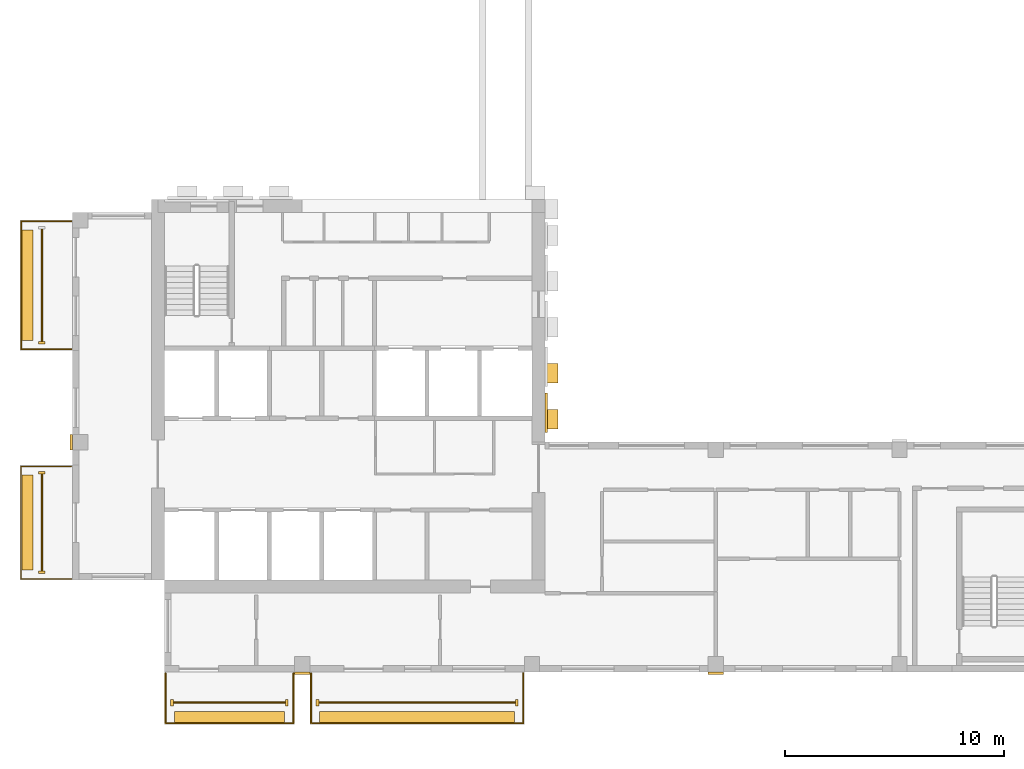
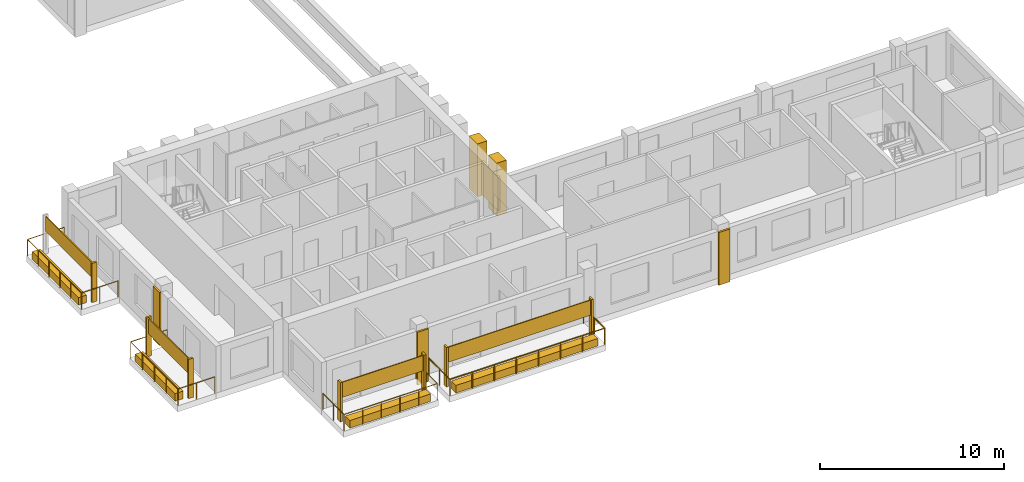
# One storey, part 6 of 9: 21 coverings, 4 railings.
"""IFC4 building model written with IfcOpenShell, lengths in metres."""

from ifc_helpers import new_model, si_unit, direction, frame, origin, origin_2d, place, context, subcontext, project, spatial, rectangle, circle, extrude, source, transform, mapped, material, type_object, element, save


model = new_model("IFC4")

# Units and contexts
model_context = context("Model", 3, precision=1e-05, world=origin(), true_north=direction((0.0, 1.0)))
body_context = subcontext(model_context, "Body", "Model", "MODEL_VIEW")
ifc_project = project(units=[si_unit("LENGTHUNIT", "METRE"), si_unit("AREAUNIT", "SQUARE_METRE"), si_unit("VOLUMEUNIT", "CUBIC_METRE"), si_unit("PLANEANGLEUNIT", "RADIAN"), si_unit("MASSUNIT", "GRAM", prefix="KILO")], contexts=[model_context])

# Site, building, storey
site_placement = place(None, origin())
site = spatial("IfcSite", under=ifc_project, at=site_placement, CompositionType="ELEMENT")
building_placement = place(site_placement, origin())
building = spatial("IfcBuilding", under=site, at=building_placement, Name="Aurelian Terraces", CompositionType="ELEMENT")
storey_placement = place(building_placement, frame((0.0, 0.0, 319.5)))
storey = spatial("IfcBuildingStorey", under=building, at=storey_placement, Name="L74", CompositionType="ELEMENT", Elevation=319.5)

# Coverings
ifc_material_1 = material(Name="Terracotta rainscreen cladding relief", Category="masonry")
covering_type_1 = type_object("IfcCoveringType", Name="FIN-TC", PredefinedType="CLADDING", material=ifc_material_1)
shared_shape_1 = source(origin(), body_context, "Body", "SweptSolid", [
    extrude(rectangle(XDim=0.3, YDim=0.12, at=origin_2d()), origin(), (0.0, 0.0, 1.0), 2.6),
])
for number, where, z_axis, x_axis, name in (
    (1, (-1.4, 15.05, 0.0), (0.0, 0.0, 1.0), (1.0, 0.0, 0.0), "FIN L74 L74-F12-18.2"),
    (2, (-1.4, 9.1, 0.0), (0.0, 0.0, 1.0), (1.0, 0.0, 0.0), "FIN L74 L74-F12-20.1"),
    (3, (-1.4, 4.55, 0.0), (0.0, 0.0, 1.0), (1.0, 0.0, 0.0), "FIN L74 L74-F12-20.2"),
):
    element("IfcCovering", number, at=place(storey_placement, frame(where, z_axis=z_axis, x_axis=x_axis)), inside=storey, type_object=covering_type_1, Name=name, PredefinedType="CLADDING", context=body_context, shape_type="MappedRepresentation", body=[
        mapped(shared_shape_1, transform((0.0, 0.0, 0.0), scale=1.0)),
    ])
shared_shape_2 = source(origin(), body_context, "Body", "SweptSolid", [
    extrude(rectangle(XDim=0.12, YDim=0.3, at=origin_2d()), origin(), (0.0, 0.0, 1.0), 2.6),
])
for number, where, z_axis, x_axis, name in (
    (4, (4.55, -1.4, 0.0), (0.0, 0.0, 1.0), (1.0, 0.0, 0.0), "FIN L74 L74-F01-01.1"),
    (5, (9.8, -1.4, 0.0), (0.0, 0.0, 1.0), (1.0, 0.0, 0.0), "FIN L74 L74-F01-01.2"),
    (6, (11.2, -1.4, 0.0), (0.0, 0.0, 1.0), (1.0, 0.0, 0.0), "FIN L74 L74-F01-02.1"),
    (7, (20.3, -1.4, 0.0), (0.0, 0.0, 1.0), (1.0, 0.0, 0.0), "FIN L74 L74-F01-02.2"),
):
    element("IfcCovering", number, at=place(storey_placement, frame(where, z_axis=z_axis, x_axis=x_axis)), inside=storey, type_object=covering_type_1, Name=name, PredefinedType="CLADDING", context=body_context, shape_type="MappedRepresentation", body=[
        mapped(shared_shape_2, transform((0.0, 0.0, 0.0), scale=1.0)),
    ])

# Railing
ifc_material_2 = material(Name="Anodised aluminium", Category="aluminium")
railing_type = type_object("IfcRailingType", Name="GUARD-1100", PredefinedType="GUARDRAIL", material=ifc_material_2)
shared_shape_3 = source(origin(), body_context, "Body", "SweptSolid", [
    extrude(circle(Radius=0.024, at=origin_2d()), frame((0.0, 0.0, 1.076), z_axis=(-1.0, 0.0, 0.0), x_axis=(0.0, -1.0, 0.0)), (0.0, 0.0, 1.0), 2.3),
    extrude(circle(Radius=0.024, at=origin_2d()), frame((-2.3, 0.0, 1.076), z_axis=(0.0, -1.0, 0.0), x_axis=(1.0, 0.0, 0.0)), (0.0, 0.0, 1.0), 5.15),
    extrude(circle(Radius=0.024, at=origin_2d()), frame((-2.3, -5.15, 1.076), z_axis=(1.0, 0.0, 0.0), x_axis=(0.0, 1.0, 0.0)), (0.0, 0.0, 1.0), 2.3),
    extrude(circle(Radius=0.021, at=origin_2d()), origin(), (0.0, 0.0, 1.0), 1.052),
    extrude(circle(Radius=0.021, at=origin_2d()), frame((-1.15, 0.0, 0.0)), (0.0, 0.0, 1.0), 1.052),
    extrude(circle(Radius=0.021, at=origin_2d()), frame((-2.3, 0.0, 0.0)), (0.0, 0.0, 1.0), 1.052),
    extrude(circle(Radius=0.021, at=origin_2d()), frame((-2.3, -1.2875, 0.0)), (0.0, 0.0, 1.0), 1.052),
    extrude(circle(Radius=0.021, at=origin_2d()), frame((-2.3, -2.575, 0.0)), (0.0, 0.0, 1.0), 1.052),
    extrude(circle(Radius=0.021, at=origin_2d()), frame((-2.3, -3.8625, 0.0)), (0.0, 0.0, 1.0), 1.052),
    extrude(circle(Radius=0.021, at=origin_2d()), frame((-2.3, -5.15, 0.0)), (0.0, 0.0, 1.0), 1.052),
    extrude(circle(Radius=0.021, at=origin_2d()), frame((-1.15, -5.15, 0.0)), (0.0, 0.0, 1.0), 1.052),
    extrude(circle(Radius=0.021, at=origin_2d()), frame((0.0, -5.15, 0.0)), (0.0, 0.0, 1.0), 1.052),
])
railing_1_placement = place(storey_placement, frame((-0.05, 9.4, 0.0)))
element("IfcRailing", 8, at=railing_1_placement, inside=storey, type_object=railing_type, Name="Balcony guard L74 F12.20", PredefinedType="GUARDRAIL", context=body_context, shape_type="MappedRepresentation", body=[
    mapped(shared_shape_3, transform((0.0, 0.0, 0.0), scale=1.0)),
])

# Coverings
ifc_material_3 = material(Name="Terracotta planter with planting soil", Category="masonry")
covering_type_2 = type_object("IfcCoveringType", Name="PLANTER-TROUGH", PredefinedType="USERDEFINED", material=ifc_material_3)
shared_shape_4 = source(origin(), body_context, "Body", "SweptSolid", [
    extrude(rectangle(XDim=0.5, YDim=4.35, at=origin_2d()), origin(), (0.0, 0.0, 1.0), 0.5),
])
covering_1_placement = place(storey_placement, frame((-2.05, 6.825, 0.0), z_axis=(0.0, 0.0, 1.0), x_axis=(1.0, 0.0, 0.0)))
element("IfcCovering", 9, at=covering_1_placement, inside=storey, type_object=covering_type_2, Name="PLANTER L74 L74-F12-20", ObjectType="PLANTER", PredefinedType="USERDEFINED", context=body_context, shape_type="MappedRepresentation", body=[
    mapped(shared_shape_4, transform((0.0, 0.0, 0.0), scale=1.0)),
])
ifc_material_4 = material(Name="Terracotta rainscreen cladding", Category="masonry")
covering_type_3 = type_object("IfcCoveringType", Name="SCREEN-TC", PredefinedType="CLADDING", material=ifc_material_4)
shared_shape_5 = source(origin(), body_context, "Body", "SweptSolid", [
    extrude(rectangle(XDim=0.06, YDim=4.43, at=origin_2d()), origin(), (0.0, 0.0, 1.0), 1.0),
])
covering_2_placement = place(storey_placement, frame((-1.4, 6.825, 1.5), z_axis=(0.0, 0.0, 1.0), x_axis=(1.0, 0.0, 0.0)))
element("IfcCovering", 10, at=covering_2_placement, inside=storey, type_object=covering_type_3, Name="SCREEN L74 L74-F12-20", PredefinedType="CLADDING", context=body_context, shape_type="MappedRepresentation", body=[
    mapped(shared_shape_5, transform((0.0, 0.0, 0.0), scale=1.0)),
])
ifc_material_5 = material(Name="Terracotta rainscreen cladding louvre blades", Category="masonry")
covering_type_4 = type_object("IfcCoveringType", Name="LOUVRE-TC", PredefinedType="CLADDING", material=ifc_material_5)
shared_shape_6 = source(origin(), body_context, "Body", "SweptSolid", [
    extrude(rectangle(XDim=0.12, YDim=1.8, at=origin_2d()), origin(), (0.0, 0.0, 1.0), 2.2),
])
covering_3_placement = place(storey_placement, frame((21.66, 11.85, 0.45), z_axis=(0.0, 0.0, 1.0), x_axis=(1.0, 0.0, 0.0)))
element("IfcCovering", 11, at=covering_3_placement, inside=storey, type_object=covering_type_4, Name="LOUVRE L74 core face E.1", PredefinedType="CLADDING", context=body_context, shape_type="MappedRepresentation", body=[
    mapped(shared_shape_6, transform((0.0, 0.0, 0.0), scale=1.0)),
])
covering_type_5 = type_object("IfcCoveringType", Name="BAGUETTE-TC", PredefinedType="CLADDING", material=ifc_material_1)
shared_shape_7 = source(origin(), body_context, "Body", "SweptSolid", [
    extrude(rectangle(XDim=0.7, YDim=0.12, at=origin_2d()), origin(), (0.0, 0.0, 1.0), 3.5),
])
for number, where, z_axis, x_axis, name in (
    (12, (10.5, -0.06, -0.4), (0.0, 0.0, 1.0), (1.0, 0.0, 0.0), "BAGUETTE pier L74 1"),
    (13, (29.4, -0.06, -0.4), (0.0, 0.0, 1.0), (1.0, 0.0, 0.0), "BAGUETTE pier L74 2"),
):
    element("IfcCovering", number, at=place(storey_placement, frame(where, z_axis=z_axis, x_axis=x_axis)), inside=storey, type_object=covering_type_5, Name=name, PredefinedType="CLADDING", context=body_context, shape_type="MappedRepresentation", body=[
        mapped(shared_shape_7, transform((0.0, 0.0, 0.0), scale=1.0)),
    ])
shared_shape_8 = source(origin(), body_context, "Body", "SweptSolid", [
    extrude(rectangle(XDim=0.12, YDim=0.7, at=origin_2d()), origin(), (0.0, 0.0, 1.0), 3.5),
])
covering_4_placement = place(storey_placement, frame((-0.06, 10.5, -0.4), z_axis=(0.0, 0.0, 1.0), x_axis=(1.0, 0.0, 0.0)))
element("IfcCovering", 14, at=covering_4_placement, inside=storey, type_object=covering_type_5, Name="BAGUETTE pier L74 5", PredefinedType="CLADDING", context=body_context, shape_type="MappedRepresentation", body=[
    mapped(shared_shape_8, transform((0.0, 0.0, 0.0), scale=1.0)),
])

# Railing
shared_shape_9 = source(origin(), body_context, "Body", "SweptSolid", [
    extrude(circle(Radius=0.024, at=origin_2d()), frame((0.0, 0.0, 1.076), z_axis=(0.0, -1.0, 0.0), x_axis=(1.0, 0.0, 0.0)), (0.0, 0.0, 1.0), 2.3),
    extrude(circle(Radius=0.024, at=origin_2d()), frame((0.0, -2.3, 1.076), z_axis=(1.0, 0.0, 0.0), x_axis=(0.0, 1.0, 0.0)), (0.0, 0.0, 1.0), 5.85),
    extrude(circle(Radius=0.024, at=origin_2d()), frame((5.85, -2.3, 1.076), z_axis=(0.0, 1.0, 0.0), x_axis=(-1.0, 0.0, 0.0)), (0.0, 0.0, 1.0), 2.3),
    extrude(circle(Radius=0.021, at=origin_2d()), origin(), (0.0, 0.0, 1.0), 1.052),
    extrude(circle(Radius=0.021, at=origin_2d()), frame((0.0, -1.15, 0.0)), (0.0, 0.0, 1.0), 1.052),
    extrude(circle(Radius=0.021, at=origin_2d()), frame((0.0, -2.3, 0.0)), (0.0, 0.0, 1.0), 1.052),
    extrude(circle(Radius=0.021, at=origin_2d()), frame((1.17, -2.3, 0.0)), (0.0, 0.0, 1.0), 1.052),
    extrude(circle(Radius=0.021, at=origin_2d()), frame((2.34, -2.3, 0.0)), (0.0, 0.0, 1.0), 1.052),
    extrude(circle(Radius=0.021, at=origin_2d()), frame((3.51, -2.3, 0.0)), (0.0, 0.0, 1.0), 1.052),
    extrude(circle(Radius=0.021, at=origin_2d()), frame((4.68, -2.3, 0.0)), (0.0, 0.0, 1.0), 1.052),
    extrude(circle(Radius=0.021, at=origin_2d()), frame((5.85, -2.3, 0.0)), (0.0, 0.0, 1.0), 1.052),
    extrude(circle(Radius=0.021, at=origin_2d()), frame((5.85, -1.15, 0.0)), (0.0, 0.0, 1.0), 1.052),
    extrude(circle(Radius=0.021, at=origin_2d()), frame((5.85, 0.0, 0.0)), (0.0, 0.0, 1.0), 1.052),
])
railing_2_placement = place(storey_placement, frame((4.25, -0.05, 0.0)))
element("IfcRailing", 15, at=railing_2_placement, inside=storey, type_object=railing_type, Name="Balcony guard L74 F01.1", PredefinedType="GUARDRAIL", context=body_context, shape_type="MappedRepresentation", body=[
    mapped(shared_shape_9, transform((0.0, 0.0, 0.0), scale=1.0)),
])

# Coverings
shared_shape_10 = source(origin(), body_context, "Body", "SweptSolid", [
    extrude(rectangle(XDim=5.05, YDim=0.5, at=origin_2d()), origin(), (0.0, 0.0, 1.0), 0.5),
])
covering_5_placement = place(storey_placement, frame((7.175, -2.05, 0.0), z_axis=(0.0, 0.0, 1.0), x_axis=(1.0, 0.0, 0.0)))
element("IfcCovering", 16, at=covering_5_placement, inside=storey, type_object=covering_type_2, Name="PLANTER L74 L74-F01-01", ObjectType="PLANTER", PredefinedType="USERDEFINED", context=body_context, shape_type="MappedRepresentation", body=[
    mapped(shared_shape_10, transform((0.0, 0.0, 0.0), scale=1.0)),
])
shared_shape_11 = source(origin(), body_context, "Body", "SweptSolid", [
    extrude(rectangle(XDim=5.13, YDim=0.06, at=origin_2d()), origin(), (0.0, 0.0, 1.0), 1.0),
])
covering_6_placement = place(storey_placement, frame((7.175, -1.4, 1.5), z_axis=(0.0, 0.0, 1.0), x_axis=(1.0, 0.0, 0.0)))
element("IfcCovering", 17, at=covering_6_placement, inside=storey, type_object=covering_type_3, Name="SCREEN L74 L74-F01-01", PredefinedType="CLADDING", context=body_context, shape_type="MappedRepresentation", body=[
    mapped(shared_shape_11, transform((0.0, 0.0, 0.0), scale=1.0)),
])

# Railing
shared_shape_12 = source(origin(), body_context, "Body", "SweptSolid", [
    extrude(circle(Radius=0.024, at=origin_2d()), frame((0.0, 0.0, 1.076), z_axis=(-1.0, 0.0, 0.0), x_axis=(0.0, -1.0, 0.0)), (0.0, 0.0, 1.0), 2.3),
    extrude(circle(Radius=0.024, at=origin_2d()), frame((-2.3, 0.0, 1.076), z_axis=(0.0, -1.0, 0.0), x_axis=(1.0, 0.0, 0.0)), (0.0, 0.0, 1.0), 5.85),
    extrude(circle(Radius=0.024, at=origin_2d()), frame((-2.3, -5.85, 1.076), z_axis=(1.0, 0.0, 0.0), x_axis=(0.0, 1.0, 0.0)), (0.0, 0.0, 1.0), 2.3),
    extrude(circle(Radius=0.021, at=origin_2d()), origin(), (0.0, 0.0, 1.0), 1.052),
    extrude(circle(Radius=0.021, at=origin_2d()), frame((-1.15, 0.0, 0.0)), (0.0, 0.0, 1.0), 1.052),
    extrude(circle(Radius=0.021, at=origin_2d()), frame((-2.3, 0.0, 0.0)), (0.0, 0.0, 1.0), 1.052),
    extrude(circle(Radius=0.021, at=origin_2d()), frame((-2.3, -1.17, 0.0)), (0.0, 0.0, 1.0), 1.052),
    extrude(circle(Radius=0.021, at=origin_2d()), frame((-2.3, -2.34, 0.0)), (0.0, 0.0, 1.0), 1.052),
    extrude(circle(Radius=0.021, at=origin_2d()), frame((-2.3, -3.51, 0.0)), (0.0, 0.0, 1.0), 1.052),
    extrude(circle(Radius=0.021, at=origin_2d()), frame((-2.3, -4.68, 0.0)), (0.0, 0.0, 1.0), 1.052),
    extrude(circle(Radius=0.021, at=origin_2d()), frame((-2.3, -5.85, 0.0)), (0.0, 0.0, 1.0), 1.052),
    extrude(circle(Radius=0.021, at=origin_2d()), frame((-1.15, -5.85, 0.0)), (0.0, 0.0, 1.0), 1.052),
    extrude(circle(Radius=0.021, at=origin_2d()), frame((0.0, -5.85, 0.0)), (0.0, 0.0, 1.0), 1.052),
])
railing_3_placement = place(storey_placement, frame((-0.05, 20.6, 0.0)))
element("IfcRailing", 18, at=railing_3_placement, inside=storey, type_object=railing_type, Name="Balcony guard L74 F12.18", PredefinedType="GUARDRAIL", context=body_context, shape_type="MappedRepresentation", body=[
    mapped(shared_shape_12, transform((0.0, 0.0, 0.0), scale=1.0)),
])

# Coverings
shared_shape_13 = source(origin(), body_context, "Body", "SweptSolid", [
    extrude(rectangle(XDim=0.5, YDim=5.05, at=origin_2d()), origin(), (0.0, 0.0, 1.0), 0.5),
])
covering_7_placement = place(storey_placement, frame((-2.05, 17.675, 0.0), z_axis=(0.0, 0.0, 1.0), x_axis=(1.0, 0.0, 0.0)))
element("IfcCovering", 19, at=covering_7_placement, inside=storey, type_object=covering_type_2, Name="PLANTER L74 L74-F12-18", ObjectType="PLANTER", PredefinedType="USERDEFINED", context=body_context, shape_type="MappedRepresentation", body=[
    mapped(shared_shape_13, transform((0.0, 0.0, 0.0), scale=1.0)),
])
shared_shape_14 = source(origin(), body_context, "Body", "SweptSolid", [
    extrude(rectangle(XDim=0.06, YDim=5.13, at=origin_2d()), origin(), (0.0, 0.0, 1.0), 1.0),
])
covering_8_placement = place(storey_placement, frame((-1.4, 17.675, 1.5), z_axis=(0.0, 0.0, 1.0), x_axis=(1.0, 0.0, 0.0)))
element("IfcCovering", 20, at=covering_8_placement, inside=storey, type_object=covering_type_3, Name="SCREEN L74 L74-F12-18", PredefinedType="CLADDING", context=body_context, shape_type="MappedRepresentation", body=[
    mapped(shared_shape_14, transform((0.0, 0.0, 0.0), scale=1.0)),
])

# Railing
shared_shape_15 = source(origin(), body_context, "Body", "SweptSolid", [
    extrude(circle(Radius=0.024, at=origin_2d()), frame((0.0, 0.0, 1.076), z_axis=(0.0, -1.0, 0.0), x_axis=(1.0, 0.0, 0.0)), (0.0, 0.0, 1.0), 2.3),
    extrude(circle(Radius=0.024, at=origin_2d()), frame((0.0, -2.3, 1.076), z_axis=(1.0, 0.0, 0.0), x_axis=(0.0, 1.0, 0.0)), (0.0, 0.0, 1.0), 9.7),
    extrude(circle(Radius=0.024, at=origin_2d()), frame((9.7, -2.3, 1.076), z_axis=(0.0, 1.0, 0.0), x_axis=(-1.0, 0.0, 0.0)), (0.0, 0.0, 1.0), 2.3),
    extrude(circle(Radius=0.021, at=origin_2d()), origin(), (0.0, 0.0, 1.0), 1.052),
    extrude(circle(Radius=0.021, at=origin_2d()), frame((0.0, -1.15, 0.0)), (0.0, 0.0, 1.0), 1.052),
    extrude(circle(Radius=0.021, at=origin_2d()), frame((0.0, -2.3, 0.0)), (0.0, 0.0, 1.0), 1.052),
    extrude(circle(Radius=0.021, at=origin_2d()), frame((1.3857, -2.3, 0.0)), (0.0, 0.0, 1.0), 1.052),
    extrude(circle(Radius=0.021, at=origin_2d()), frame((2.7714, -2.3, 0.0)), (0.0, 0.0, 1.0), 1.052),
    extrude(circle(Radius=0.021, at=origin_2d()), frame((4.1571, -2.3, 0.0)), (0.0, 0.0, 1.0), 1.052),
    extrude(circle(Radius=0.021, at=origin_2d()), frame((5.5429, -2.3, 0.0)), (0.0, 0.0, 1.0), 1.052),
    extrude(circle(Radius=0.021, at=origin_2d()), frame((6.9286, -2.3, 0.0)), (0.0, 0.0, 1.0), 1.052),
    extrude(circle(Radius=0.021, at=origin_2d()), frame((8.3143, -2.3, 0.0)), (0.0, 0.0, 1.0), 1.052),
    extrude(circle(Radius=0.021, at=origin_2d()), frame((9.7, -2.3, 0.0)), (0.0, 0.0, 1.0), 1.052),
    extrude(circle(Radius=0.021, at=origin_2d()), frame((9.7, -1.15, 0.0)), (0.0, 0.0, 1.0), 1.052),
    extrude(circle(Radius=0.021, at=origin_2d()), frame((9.7, 0.0, 0.0)), (0.0, 0.0, 1.0), 1.052),
])
railing_4_placement = place(storey_placement, frame((10.9, -0.05, 0.0)))
element("IfcRailing", 21, at=railing_4_placement, inside=storey, type_object=railing_type, Name="Balcony guard L74 F01.2", PredefinedType="GUARDRAIL", context=body_context, shape_type="MappedRepresentation", body=[
    mapped(shared_shape_15, transform((0.0, 0.0, 0.0), scale=1.0)),
])

# Coverings
shared_shape_16 = source(origin(), body_context, "Body", "SweptSolid", [
    extrude(rectangle(XDim=8.9, YDim=0.5, at=origin_2d()), origin(), (0.0, 0.0, 1.0), 0.5),
])
covering_9_placement = place(storey_placement, frame((15.75, -2.05, 0.0), z_axis=(0.0, 0.0, 1.0), x_axis=(1.0, 0.0, 0.0)))
element("IfcCovering", 22, at=covering_9_placement, inside=storey, type_object=covering_type_2, Name="PLANTER L74 L74-F01-02", ObjectType="PLANTER", PredefinedType="USERDEFINED", context=body_context, shape_type="MappedRepresentation", body=[
    mapped(shared_shape_16, transform((0.0, 0.0, 0.0), scale=1.0)),
])
shared_shape_17 = source(origin(), body_context, "Body", "SweptSolid", [
    extrude(rectangle(XDim=8.98, YDim=0.06, at=origin_2d()), origin(), (0.0, 0.0, 1.0), 1.0),
])
covering_10_placement = place(storey_placement, frame((15.75, -1.4, 1.5), z_axis=(0.0, 0.0, 1.0), x_axis=(1.0, 0.0, 0.0)))
element("IfcCovering", 23, at=covering_10_placement, inside=storey, type_object=covering_type_3, Name="SCREEN L74 L74-F01-02", PredefinedType="CLADDING", context=body_context, shape_type="MappedRepresentation", body=[
    mapped(shared_shape_17, transform((0.0, 0.0, 0.0), scale=1.0)),
])
covering_type_6 = type_object("IfcCoveringType", Name="Core spine pier 900x600", PredefinedType="CLADDING", material=ifc_material_1)
shared_shape_18 = source(origin(), body_context, "Body", "SweptSolid", [
    extrude(rectangle(XDim=0.6, YDim=0.9, at=origin_2d()), origin(), (0.0, 0.0, 1.0), 3.5),
])
for number, where, z_axis, x_axis, name in (
    (24, (21.9, 11.55, 0.0), (0.0, 0.0, 1.0), (1.0, 0.0, 0.0), "Spine pier L74 E1"),
    (25, (21.9, 13.65, 0.0), (0.0, 0.0, 1.0), (1.0, 0.0, 0.0), "Spine pier L74 E2"),
):
    element("IfcCovering", number, at=place(storey_placement, frame(where, z_axis=z_axis, x_axis=x_axis)), inside=storey, type_object=covering_type_6, Name=name, PredefinedType="CLADDING", context=body_context, shape_type="MappedRepresentation", body=[
        mapped(shared_shape_18, transform((0.0, 0.0, 0.0), scale=1.0)),
    ])

save(model, "model.ifc")
